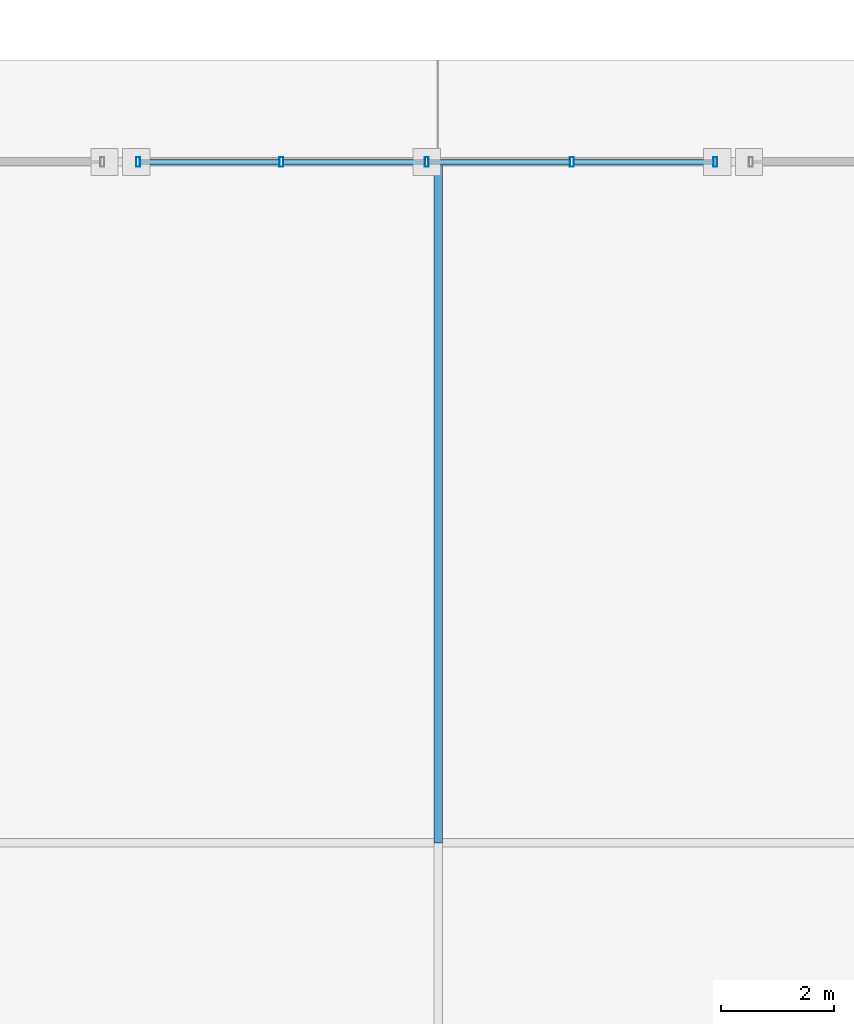
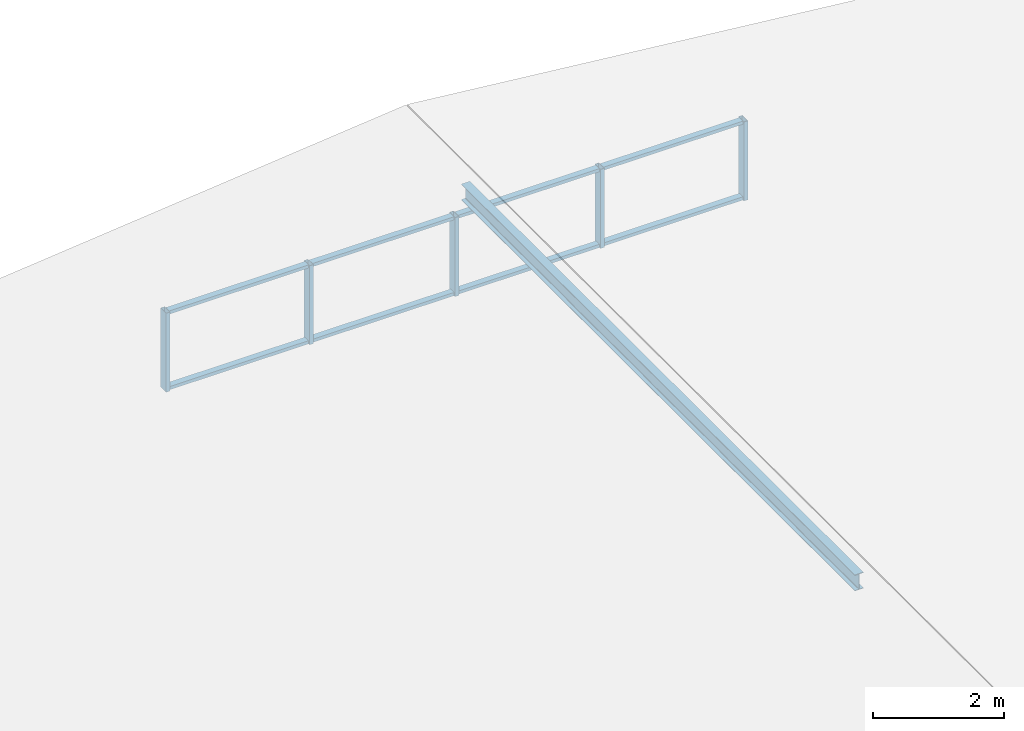
# One storey, part 48 of 117: 14 members, 1 element without a shape of its own.
"""IFC4 building model written with IfcOpenShell, lengths in metres."""

from ifc_helpers import new_model, si_unit, direction, frame, origin, origin_2d, place, context, subcontext, project, spatial, hollow_rectangle, i_section, extrude, material, material_profile, profile_set, type_object, element, aggregate, save


model = new_model("IFC4")

# Units and contexts
model_context = context("Model", 3, precision=1e-05, world=origin(), true_north=direction((0.0, 1.0)))
body_context = subcontext(model_context, "Body", "Model", "MODEL_VIEW")
ifc_project = project(units=[si_unit("LENGTHUNIT", "METRE"), si_unit("AREAUNIT", "SQUARE_METRE"), si_unit("VOLUMEUNIT", "CUBIC_METRE"), si_unit("PLANEANGLEUNIT", "RADIAN"), si_unit("MASSUNIT", "GRAM", prefix="KILO")], contexts=[model_context])

# Site, building, storey
site_placement = place(None, origin())
site = spatial("IfcSite", under=ifc_project, at=site_placement, CompositionType="ELEMENT")
building_placement = place(site_placement, origin())
building = spatial("IfcBuilding", under=site, at=building_placement, Name="Merenkruunu Market Hall", CompositionType="ELEMENT")
storey_placement = place(building_placement, frame((0.0, 0.0, 22.800048828125)))
storey = spatial("IfcBuildingStorey", under=building, at=storey_placement, Name="RF", CompositionType="ELEMENT", Elevation=22.800048828125)

# Curtain wall, members
ifc_material_1 = material(Name="Powder-coated aluminium", Category="aluminium")
curtain_wall_type = type_object("IfcCurtainWallType", Name="Clerestory Curtain Band CL03", PredefinedType="USERDEFINED", material=ifc_material_1)
curtain_wall_placement = place(storey_placement, origin())
curtain_wall = element("IfcCurtainWall", 1, at=curtain_wall_placement, inside=storey, type_object=curtain_wall_type, Name="CW-RF-CWM04-245", ObjectType="CLERESTORY_BAND", PredefinedType="USERDEFINED")
ifc_material_profile_1 = material_profile(ifc_material_1, hollow_rectangle(XDim=0.070068359375, YDim=0.169921875, WallThickness=0.0048828125, at=origin_2d()), Name="ALU 70x170x5")
ifc_profile_set_1 = profile_set([ifc_material_profile_1], Name="Powder-coated aluminium")
member_type_1 = type_object("IfcMemberType", Name="Curtain Wall Mullion CWM04", PredefinedType="MULLION", material=ifc_profile_set_1)
member_1_placement = place(storey_placement, frame((170.715087890625, 27.60009765625, -1.719970703125), z_axis=(0.0, 0.0, 1.0), x_axis=(1.0, 0.0, 0.0)))
member_1 = element("IfcMember", 2, at=member_1_placement, type_object=member_type_1, Name="CL03 mullion 1", PredefinedType="MULLION", context=body_context, shape_type="SweptSolid", body=[
    extrude(hollow_rectangle(XDim=0.070068359375, YDim=0.169921875, WallThickness=0.0048828125, at=origin_2d()), origin(), (0.0, 0.0, 1.0), 1.469970703125),
])
member_2_placement = place(storey_placement, frame((173.239990234375, 27.60009765625, -1.719970703125), z_axis=(0.0, 0.0, 1.0), x_axis=(1.0, 0.0, 0.0)))
member_2 = element("IfcMember", 3, at=member_2_placement, type_object=member_type_1, Name="CL03 mullion 2", PredefinedType="MULLION", context=body_context, shape_type="SweptSolid", body=[
    extrude(hollow_rectangle(XDim=0.070068359375, YDim=0.169921875, WallThickness=0.0048828125, at=origin_2d()), origin(), (0.0, 0.0, 1.0), 1.469970703125),
])
member_3_placement = place(storey_placement, frame((175.800048828125, 27.60009765625, -1.719970703125), z_axis=(0.0, 0.0, 1.0), x_axis=(1.0, 0.0, 0.0)))
member_3 = element("IfcMember", 4, at=member_3_placement, type_object=member_type_1, Name="CL03 mullion 3", PredefinedType="MULLION", context=body_context, shape_type="SweptSolid", body=[
    extrude(hollow_rectangle(XDim=0.070068359375, YDim=0.169921875, WallThickness=0.0048828125, at=origin_2d()), origin(), (0.0, 0.0, 1.0), 1.469970703125),
])
member_4_placement = place(storey_placement, frame((178.360107421875, 27.60009765625, -1.719970703125), z_axis=(0.0, 0.0, 1.0), x_axis=(1.0, 0.0, 0.0)))
member_4 = element("IfcMember", 5, at=member_4_placement, type_object=member_type_1, Name="CL03 mullion 4", PredefinedType="MULLION", context=body_context, shape_type="SweptSolid", body=[
    extrude(hollow_rectangle(XDim=0.070068359375, YDim=0.169921875, WallThickness=0.0048828125, at=origin_2d()), origin(), (0.0, 0.0, 1.0), 1.469970703125),
])
member_5_placement = place(storey_placement, frame((180.885009765625, 27.60009765625, -1.719970703125), z_axis=(0.0, 0.0, 1.0), x_axis=(1.0, 0.0, 0.0)))
member_5 = element("IfcMember", 6, at=member_5_placement, type_object=member_type_1, Name="CL03 mullion 5", PredefinedType="MULLION", context=body_context, shape_type="SweptSolid", body=[
    extrude(hollow_rectangle(XDim=0.070068359375, YDim=0.169921875, WallThickness=0.0048828125, at=origin_2d()), origin(), (0.0, 0.0, 1.0), 1.469970703125),
])
ifc_material_profile_2 = material_profile(ifc_material_1, hollow_rectangle(XDim=0.06005859375, YDim=0.110107421875, WallThickness=0.00390625, at=origin_2d()), Name="ALU 60x110x4")
ifc_profile_set_2 = profile_set([ifc_material_profile_2], Name="Powder-coated aluminium")
member_type_2 = type_object("IfcMemberType", Name="Curtain Wall Transom CWT03", PredefinedType="USERDEFINED", material=ifc_profile_set_2)
member_6_placement = place(storey_placement, frame((170.75, 27.60009765625, -1.68994140625), z_axis=(1.0, 0.0, 0.0), x_axis=(0.0, 0.0, 1.0)))
member_6 = element("IfcMember", 7, at=member_6_placement, type_object=member_type_2, Name="CL03 transom 1.1", ObjectType="TRANSOM", PredefinedType="USERDEFINED", context=body_context, shape_type="SweptSolid", body=[
    extrude(hollow_rectangle(XDim=0.06005859375, YDim=0.110107421875, WallThickness=0.00390625, at=origin_2d()), origin(), (0.0, 0.0, 1.0), 2.455078125),
])
member_7_placement = place(storey_placement, frame((170.75, 27.60009765625, -0.280029296875), z_axis=(1.0, 0.0, 0.0), x_axis=(0.0, 0.0, 1.0)))
member_7 = element("IfcMember", 8, at=member_7_placement, type_object=member_type_2, Name="CL03 transom 1.2", ObjectType="TRANSOM", PredefinedType="USERDEFINED", context=body_context, shape_type="SweptSolid", body=[
    extrude(hollow_rectangle(XDim=0.06005859375, YDim=0.110107421875, WallThickness=0.00390625, at=origin_2d()), origin(), (0.0, 0.0, 1.0), 2.455078125),
])
member_8_placement = place(storey_placement, frame((173.27490234375, 27.60009765625, -1.68994140625), z_axis=(1.0, 0.0, 0.0), x_axis=(0.0, 0.0, 1.0)))
member_8 = element("IfcMember", 9, at=member_8_placement, type_object=member_type_2, Name="CL03 transom 2.1", ObjectType="TRANSOM", PredefinedType="USERDEFINED", context=body_context, shape_type="SweptSolid", body=[
    extrude(hollow_rectangle(XDim=0.06005859375, YDim=0.110107421875, WallThickness=0.00390625, at=origin_2d()), origin(), (0.0, 0.0, 1.0), 2.489990234375),
])
member_9_placement = place(storey_placement, frame((173.27490234375, 27.60009765625, -0.280029296875), z_axis=(1.0, 0.0, 0.0), x_axis=(0.0, 0.0, 1.0)))
member_9 = element("IfcMember", 10, at=member_9_placement, type_object=member_type_2, Name="CL03 transom 2.2", ObjectType="TRANSOM", PredefinedType="USERDEFINED", context=body_context, shape_type="SweptSolid", body=[
    extrude(hollow_rectangle(XDim=0.06005859375, YDim=0.110107421875, WallThickness=0.00390625, at=origin_2d()), origin(), (0.0, 0.0, 1.0), 2.489990234375),
])
member_10_placement = place(storey_placement, frame((175.8349609375, 27.60009765625, -1.68994140625), z_axis=(1.0, 0.0, 0.0), x_axis=(0.0, 0.0, 1.0)))
member_10 = element("IfcMember", 11, at=member_10_placement, type_object=member_type_2, Name="CL03 transom 3.1", ObjectType="TRANSOM", PredefinedType="USERDEFINED", context=body_context, shape_type="SweptSolid", body=[
    extrude(hollow_rectangle(XDim=0.06005859375, YDim=0.110107421875, WallThickness=0.00390625, at=origin_2d()), origin(), (0.0, 0.0, 1.0), 2.489990234375),
])
member_11_placement = place(storey_placement, frame((175.8349609375, 27.60009765625, -0.280029296875), z_axis=(1.0, 0.0, 0.0), x_axis=(0.0, 0.0, 1.0)))
member_11 = element("IfcMember", 12, at=member_11_placement, type_object=member_type_2, Name="CL03 transom 3.2", ObjectType="TRANSOM", PredefinedType="USERDEFINED", context=body_context, shape_type="SweptSolid", body=[
    extrude(hollow_rectangle(XDim=0.06005859375, YDim=0.110107421875, WallThickness=0.00390625, at=origin_2d()), origin(), (0.0, 0.0, 1.0), 2.489990234375),
])
member_12_placement = place(storey_placement, frame((178.39501953125, 27.60009765625, -1.68994140625), z_axis=(1.0, 0.0, 0.0), x_axis=(0.0, 0.0, 1.0)))
member_12 = element("IfcMember", 13, at=member_12_placement, type_object=member_type_2, Name="CL03 transom 4.1", ObjectType="TRANSOM", PredefinedType="USERDEFINED", context=body_context, shape_type="SweptSolid", body=[
    extrude(hollow_rectangle(XDim=0.06005859375, YDim=0.110107421875, WallThickness=0.00390625, at=origin_2d()), origin(), (0.0, 0.0, 1.0), 2.455078125),
])
member_13_placement = place(storey_placement, frame((178.39501953125, 27.60009765625, -0.280029296875), z_axis=(1.0, 0.0, 0.0), x_axis=(0.0, 0.0, 1.0)))
member_13 = element("IfcMember", 14, at=member_13_placement, type_object=member_type_2, Name="CL03 transom 4.2", ObjectType="TRANSOM", PredefinedType="USERDEFINED", context=body_context, shape_type="SweptSolid", body=[
    extrude(hollow_rectangle(XDim=0.06005859375, YDim=0.110107421875, WallThickness=0.00390625, at=origin_2d()), origin(), (0.0, 0.0, 1.0), 2.455078125),
])
aggregate(curtain_wall, [member_1, member_2, member_3, member_4, member_5, member_6, member_7, member_8, member_9, member_10, member_11, member_12, member_13])

# Member
ifc_material_2 = material(Name="Steel S355ML", Category="steel")
ifc_material_profile_3 = material_profile(ifc_material_2, i_section(OverallWidth=0.14990234375, OverallDepth=0.300048828125, WebThickness=0.007080078125, FlangeThickness=0.0107421875, FilletRadius=0.014892578125, at=origin_2d()), Name="IPE 300")
ifc_profile_set_3 = profile_set([ifc_material_profile_3], Name="Steel S355ML")
member_type_3 = type_object("IfcMemberType", Name="Roof Purlin Rafter PR01", PredefinedType="PURLIN", material=ifc_profile_set_3)
member_14_placement = place(storey_placement, frame((176.0, 15.60009765625, 0.119873046875), z_axis=(0.0, 1.0, 0.0), x_axis=(-1.0, 0.0, 0.0)))
element("IfcMember", 15, at=member_14_placement, inside=storey, type_object=member_type_3, Name="MEM-V3-RIDGE-16", PredefinedType="PURLIN", context=body_context, shape_type="SweptSolid", body=[
    extrude(i_section(OverallWidth=0.14990234375, OverallDepth=0.300048828125, WebThickness=0.007080078125, FlangeThickness=0.0107421875, FilletRadius=0.014892578125, at=origin_2d()), origin(), (0.0, 0.0, 1.0), 12.0),
])

save(model, "model.ifc")
